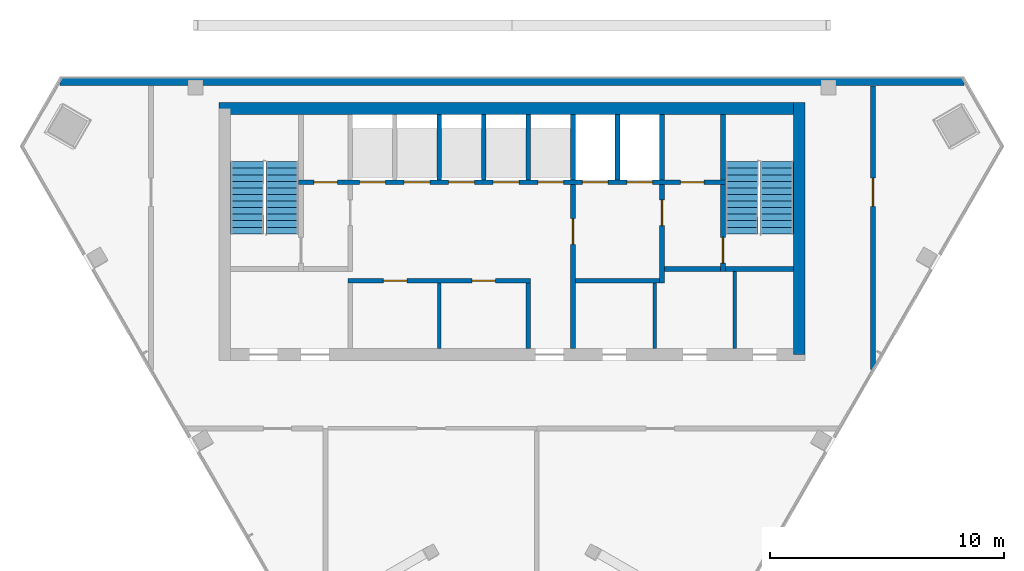
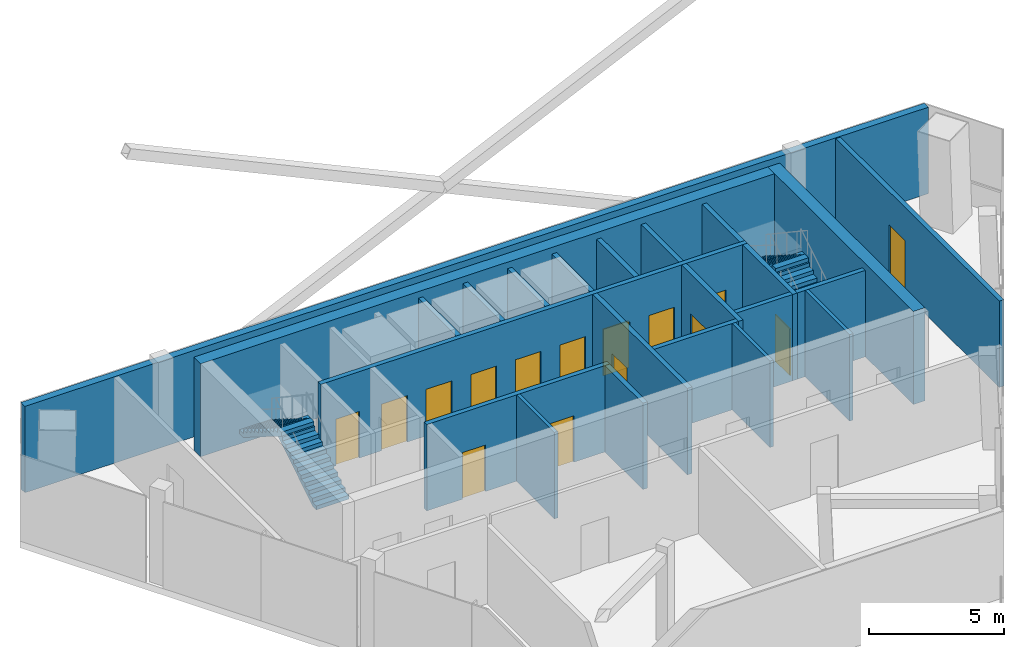
# One storey, part 6 of 8: 23 walls, 15 doors, 4 stair flights, 15 openings, 2 elements without a shape of their own.
"""IFC4 building model written with IfcOpenShell, lengths in metres."""

from ifc_helpers import new_model, si_unit, direction, frame, frame_2d, origin, place, context, subcontext, project, spatial, polyline, rectangle, outline, extrude, material, layer, layer_set, type_object, element, fill, aggregate, save


model = new_model("IFC4")

# Units and contexts
model_context = context("Model", 3, precision=1e-05, world=origin(), true_north=direction((0.0, 1.0)))
body_context = subcontext(model_context, "Body", "Model", "MODEL_VIEW")
ifc_project = project(units=[si_unit("LENGTHUNIT", "METRE"), si_unit("AREAUNIT", "SQUARE_METRE"), si_unit("VOLUMEUNIT", "CUBIC_METRE"), si_unit("PLANEANGLEUNIT", "RADIAN"), si_unit("MASSUNIT", "GRAM", prefix="KILO")], contexts=[model_context])

# Site, building, storey
site_placement = place(None, origin())
site = spatial("IfcSite", under=ifc_project, at=site_placement, CompositionType="ELEMENT")
building_placement = place(site_placement, origin())
building = spatial("IfcBuilding", under=site, at=building_placement, Name="Altiplano Prism Tower", CompositionType="ELEMENT")
storey_placement = place(building_placement, frame((0.0, 0.0, 334.60009765625)))
storey = spatial("IfcBuildingStorey", under=building, at=storey_placement, Name="L87", CompositionType="ELEMENT", Elevation=334.60009765625)

# Walls
ifc_material_1 = material(Name="Concrete C60/75", Category="concrete")
ifc_layer_1 = layer(ifc_material_1, 0.5)
ifc_layer_set_1 = layer_set([ifc_layer_1], Name="Concrete C60/75")
wall_type_1 = type_object("IfcWallType", Name="Core wall 500", PredefinedType="SHEAR", material=ifc_layer_set_1)
wall_1_placement = place(storey_placement, frame((97.25, 93.14990234375, 0.0), z_axis=(0.0, 0.0, 1.0), x_axis=(0.0, 1.0, 0.0)))
element("IfcWall", 1, at=wall_1_placement, inside=storey, type_object=wall_type_1, Name="Core wall E L87", PredefinedType="SHEAR", context=body_context, shape_type="SweptSolid", body=[
    extrude(rectangle(XDim=10.75, YDim=0.5, at=frame_2d((5.375, 0.0))), origin(), (0.0, 0.0, 1.0), 4.199951171875),
])
wall_2_placement = place(storey_placement, frame((97.25, 103.64990234375, 0.0), z_axis=(0.0, 0.0, 1.0), x_axis=(-1.0, 0.0, 0.0)))
element("IfcWall", 2, at=wall_2_placement, inside=storey, type_object=wall_type_1, Name="Core wall N L87", PredefinedType="SHEAR", context=body_context, shape_type="SweptSolid", body=[
    extrude(rectangle(XDim=24.75, YDim=0.5, at=frame_2d((12.375, 0.0))), origin(), (0.0, 0.0, 1.0), 4.199951171875),
])

# Wall, opening, door
ifc_material_2 = material(Name="Plasterboard on steel stud", Category="steel")
ifc_layer_2 = layer(ifc_material_2, 0.199951171875)
ifc_layer_set_2 = layer_set([ifc_layer_2], Name="Plasterboard on steel stud")
wall_type_2 = type_object("IfcWallType", Name="Partition 200 plant", PredefinedType="PARTITIONING", material=ifc_layer_set_2)
wall_3_placement = place(storey_placement, frame((100.40087890625, 92.51123046875, 0.0), z_axis=(0.0, 0.0, 1.0), x_axis=(-8.0781969e-05, 0.999999996737, 0.0)))
wall_3 = element("IfcWall", 3, at=wall_3_placement, inside=storey, type_object=wall_type_2, Name="Partition P04 L87 004", PredefinedType="PARTITIONING", context=body_context, shape_type="SweptSolid", body=[
    extrude(rectangle(XDim=12.0888671875, YDim=0.199951171875, at=frame_2d((6.04443359375, 0.0))), origin(), (0.0, 0.0, 1.0), 3.89990234375),
])
opening_1_placement = place(wall_3_placement, frame((6.966064453125, 0.0, 0.0)))
opening_1 = element("IfcOpeningElement", 4, at=opening_1_placement, cuts=wall_3, Name="Opening D2508", PredefinedType="OPENING", context=body_context, shape_type="SweptSolid", body=[
    extrude(rectangle(XDim=1.199951171875, YDim=2.39990234375, at=frame_2d((0.60009765625, 1.199951171875))), frame((0.0, 0.1103515625, 0.0), z_axis=(0.0, -1.0, 0.0), x_axis=(1.0, 0.0, 0.0)), (0.0, 0.0, 1.0), 0.220947265625),
])
ifc_material_3 = material(Name="Painted steel door leaf", Category="steel")
door_type_1 = type_object("IfcDoorType", Name="Plant room door 1200 x 2400", OperationType="NOTDEFINED", PredefinedType="NOTDEFINED", material=ifc_material_3)
door_1_placement = place(opening_1_placement, origin())
door_1 = element("IfcDoor", 5, at=door_1_placement, inside=storey, type_object=door_type_1, Name="Door D2508", OperationType="SINGLE_SWING_LEFT", OverallHeight=2.39990234375, OverallWidth=1.199951171875, PredefinedType="NOTDEFINED", context=body_context, shape_type="SweptSolid", body=[
    extrude(rectangle(XDim=1.199951171875, YDim=2.39990234375, at=frame_2d((0.60009765625, 1.199951171875))), frame((0.0, 0.02490234375, 0.0), z_axis=(0.0, -1.0, 0.0), x_axis=(1.0, 0.0, 0.0)), (0.0, 0.0, 1.0), 0.050048828125),
])
fill(opening_1, door_1)

# Walls
ifc_material_4 = material(Name="Fire-rated gypsum board partition")
ifc_layer_3 = layer(ifc_material_4, 0.14990234375)
ifc_layer_set_3 = layer_set([ifc_layer_3], Name="Fire-rated gypsum board partition")
wall_type_3 = type_object("IfcWallType", Name="Room partition 150", PredefinedType="PARTITIONING", material=ifc_layer_set_3)
for number, where, z_axis, x_axis, name in (
    (6, (81.89990234375, 93.39990234375, 0.0), (0.0, 0.0, 1.0), (0.0, 1.0, 0.0), "Room partition L87"),
    (7, (91.10009765625, 93.39990234375, 0.0), (0.0, 0.0, 1.0), (0.0, 1.0, 0.0), "Room partition L87"),
):
    element("IfcWall", number, at=place(storey_placement, frame(where, z_axis=z_axis, x_axis=x_axis)), inside=storey, type_object=wall_type_3, Name=name, PredefinedType="PARTITIONING", context=body_context, shape_type="SweptSolid", body=[
        extrude(rectangle(XDim=2.800048828125, YDim=0.14990234375, at=frame_2d((1.39990234375, 0.0))), origin(), (0.0, 0.0, 1.0), 3.89990234375),
    ])
wall_4_placement = place(storey_placement, frame((94.5, 93.39990234375, 0.0), z_axis=(0.0, 0.0, 1.0), x_axis=(0.0, 1.0, 0.0)))
element("IfcWall", 8, at=wall_4_placement, inside=storey, type_object=wall_type_3, Name="Room partition L87", PredefinedType="PARTITIONING", context=body_context, shape_type="SweptSolid", body=[
    extrude(rectangle(XDim=3.300048828125, YDim=0.14990234375, at=frame_2d((1.64990234375, 0.0))), origin(), (0.0, 0.0, 1.0), 3.89990234375),
])
ifc_layer_4 = layer(ifc_material_1, 0.199951171875)
ifc_layer_set_4 = layer_set([ifc_layer_4], Name="Concrete C60/75")
wall_type_4 = type_object("IfcWallType", Name="Shaft wall 200", PredefinedType="SOLIDWALL", material=ifc_layer_set_4)
for number, where, z_axis, x_axis, name in (
    (9, (81.89990234375, 100.60009765625, 0.0), (0.0, 0.0, 1.0), (0.0, 1.0, 0.0), "Shaft wall L87"),
    (10, (83.800048828125, 100.60009765625, 0.0), (0.0, 0.0, 1.0), (0.0, 1.0, 0.0), "Shaft wall L87"),
    (11, (85.699951171875, 100.60009765625, 0.0), (0.0, 0.0, 1.0), (0.0, 1.0, 0.0), "Shaft wall L87"),
    (12, (87.60009765625, 100.60009765625, 0.0), (0.0, 0.0, 1.0), (0.0, 1.0, 0.0), "Shaft wall L87"),
    (13, (89.5, 100.60009765625, 0.0), (0.0, 0.0, 1.0), (0.0, 1.0, 0.0), "Shaft wall L87"),
    (14, (91.39990234375, 100.60009765625, 0.0), (0.0, 0.0, 1.0), (0.0, 1.0, 0.0), "Shaft wall L87"),
):
    element("IfcWall", number, at=place(storey_placement, frame(where, z_axis=z_axis, x_axis=x_axis)), inside=storey, type_object=wall_type_4, Name=name, PredefinedType="SOLIDWALL", context=body_context, shape_type="SweptSolid", body=[
        extrude(rectangle(XDim=2.7998046875, YDim=0.199951171875, at=frame_2d((1.39990234375, 0.0))), origin(), (0.0, 0.0, 1.0), 3.89990234375),
    ])

# Wall, opening, door
ifc_layer_5 = layer(ifc_material_1, 0.199951171875)
ifc_layer_set_5 = layer_set([ifc_layer_5], Name="Concrete C60/75")
wall_type_5 = type_object("IfcWallType", Name="Stair wall 200", PredefinedType="SOLIDWALL", material=ifc_layer_set_5)
wall_5_placement = place(storey_placement, frame((94.0, 96.699951171875, 0.0), z_axis=(0.0, 0.0, 1.0), x_axis=(0.0, 1.0, 0.0)))
wall_5 = element("IfcWall", 15, at=wall_5_placement, inside=storey, type_object=wall_type_5, Name="Stair wall L87", PredefinedType="SOLIDWALL", context=body_context, shape_type="SweptSolid", body=[
    extrude(rectangle(XDim=3.699951171875, YDim=0.199951171875, at=frame_2d((1.85009765625, 0.0))), origin(), (0.0, 0.0, 1.0), 3.89990234375),
])
opening_2_placement = place(wall_5_placement, frame((0.35009765625, 0.0, 0.0)))
opening_2 = element("IfcOpeningElement", 16, at=opening_2_placement, cuts=wall_5, Name="Opening D3817", PredefinedType="OPENING", context=body_context, shape_type="SweptSolid", body=[
    extrude(rectangle(XDim=1.10009765625, YDim=2.10009765625, at=frame_2d((0.550048828125, 1.050048828125))), frame((0.0, 0.1103515625, 0.0), z_axis=(0.0, -1.0, 0.0), x_axis=(1.0, 0.0, 0.0)), (0.0, 0.0, 1.0), 0.220947265625),
])
ifc_material_5 = material(Name="Fire-rated steel door", Category="steel")
door_type_2 = type_object("IfcDoorType", Name="Stair fire door 1100 x 2100", OperationType="NOTDEFINED", PredefinedType="NOTDEFINED", material=ifc_material_5)
door_2_placement = place(opening_2_placement, origin())
door_2 = element("IfcDoor", 17, at=door_2_placement, inside=storey, type_object=door_type_2, Name="Stair fire door D3817", OperationType="SINGLE_SWING_LEFT", OverallHeight=2.10009765625, OverallWidth=1.10009765625, PredefinedType="NOTDEFINED", context=body_context, shape_type="SweptSolid", body=[
    extrude(rectangle(XDim=1.10009765625, YDim=2.10009765625, at=frame_2d((0.550048828125, 1.050048828125))), frame((0.0, 0.02490234375, 0.0), z_axis=(0.0, -1.0, 0.0), x_axis=(1.0, 0.0, 0.0)), (0.0, 0.0, 1.0), 0.050048828125),
])
fill(opening_2, door_2)

# Wall
wall_6_placement = place(storey_placement, frame((94.10009765625, 96.800048828125, 0.0), z_axis=(0.0, 0.0, 1.0), x_axis=(1.0, 0.0, 0.0)))
element("IfcWall", 18, at=wall_6_placement, inside=storey, type_object=wall_type_5, Name="Stair wall L87", PredefinedType="SOLIDWALL", context=body_context, shape_type="SweptSolid", body=[
    extrude(rectangle(XDim=2.89990234375, YDim=0.199951171875, at=frame_2d((1.449951171875, 0.0))), origin(), (0.0, 0.0, 1.0), 3.89990234375),
])

# Wall, openings, doors
wall_7_placement = place(storey_placement, frame((75.89990234375, 100.5, 0.0), z_axis=(0.0, 0.0, 1.0), x_axis=(1.0, 0.0, 0.0)))
wall_7 = element("IfcWall", 19, at=wall_7_placement, inside=storey, type_object=wall_type_5, Name="Stair wall L87", PredefinedType="SOLIDWALL", context=body_context, shape_type="SweptSolid", body=[
    extrude(rectangle(XDim=18.2001953125, YDim=0.199951171875, at=frame_2d((9.10009765625, 0.0))), origin(), (0.0, 0.0, 1.0), 3.89990234375),
])
opening_3_placement = place(wall_7_placement, frame((2.60009765625, 0.0, 0.0)))
opening_3 = element("IfcOpeningElement", 20, at=opening_3_placement, cuts=wall_7, Name="Opening LD-HL1-L87", PredefinedType="OPENING", context=body_context, shape_type="SweptSolid", body=[
    extrude(rectangle(XDim=1.10009765625, YDim=2.10009765625, at=frame_2d((0.550048828125, 1.050048828125))), frame((0.0, 0.1103515625, 0.0), z_axis=(0.0, -1.0, 0.0), x_axis=(1.0, 0.0, 0.0)), (0.0, 0.0, 1.0), 0.220947265625),
])
opening_4_placement = place(wall_7_placement, frame((4.5, 0.0, 0.0)))
opening_4 = element("IfcOpeningElement", 21, at=opening_4_placement, cuts=wall_7, Name="Opening LD-HL2-L87", PredefinedType="OPENING", context=body_context, shape_type="SweptSolid", body=[
    extrude(rectangle(XDim=1.10009765625, YDim=2.10009765625, at=frame_2d((0.550048828125, 1.050048828125))), frame((0.0, 0.1103515625, 0.0), z_axis=(0.0, -1.0, 0.0), x_axis=(1.0, 0.0, 0.0)), (0.0, 0.0, 1.0), 0.220947265625),
])
opening_5_placement = place(wall_7_placement, frame((6.39990234375, 0.0, 0.0)))
opening_5 = element("IfcOpeningElement", 22, at=opening_5_placement, cuts=wall_7, Name="Opening LD-HL3-L87", PredefinedType="OPENING", context=body_context, shape_type="SweptSolid", body=[
    extrude(rectangle(XDim=1.10009765625, YDim=2.10009765625, at=frame_2d((0.550048828125, 1.050048828125))), frame((0.0, 0.1103515625, 0.0), z_axis=(0.0, -1.0, 0.0), x_axis=(1.0, 0.0, 0.0)), (0.0, 0.0, 1.0), 0.220947265625),
])
opening_6_placement = place(wall_7_placement, frame((8.300048828125, 0.0, 0.0)))
opening_6 = element("IfcOpeningElement", 23, at=opening_6_placement, cuts=wall_7, Name="Opening LD-HL4-L87", PredefinedType="OPENING", context=body_context, shape_type="SweptSolid", body=[
    extrude(rectangle(XDim=1.10009765625, YDim=2.10009765625, at=frame_2d((0.550048828125, 1.050048828125))), frame((0.0, 0.1103515625, 0.0), z_axis=(0.0, -1.0, 0.0), x_axis=(1.0, 0.0, 0.0)), (0.0, 0.0, 1.0), 0.220947265625),
])
opening_7_placement = place(wall_7_placement, frame((10.199951171875, 0.0, 0.0)))
opening_7 = element("IfcOpeningElement", 24, at=opening_7_placement, cuts=wall_7, Name="Opening LD-HL5-L87", PredefinedType="OPENING", context=body_context, shape_type="SweptSolid", body=[
    extrude(rectangle(XDim=1.10009765625, YDim=2.10009765625, at=frame_2d((0.550048828125, 1.050048828125))), frame((0.0, 0.1103515625, 0.0), z_axis=(0.0, -1.0, 0.0), x_axis=(1.0, 0.0, 0.0)), (0.0, 0.0, 1.0), 0.220947265625),
])
opening_8_placement = place(wall_7_placement, frame((12.10009765625, 0.0, 0.0)))
opening_8 = element("IfcOpeningElement", 25, at=opening_8_placement, cuts=wall_7, Name="Opening LD-FF1-L87", PredefinedType="OPENING", context=body_context, shape_type="SweptSolid", body=[
    extrude(rectangle(XDim=1.10009765625, YDim=2.10009765625, at=frame_2d((0.550048828125, 1.050048828125))), frame((0.0, 0.1103515625, 0.0), z_axis=(0.0, -1.0, 0.0), x_axis=(1.0, 0.0, 0.0)), (0.0, 0.0, 1.0), 0.220947265625),
])
opening_9_placement = place(wall_7_placement, frame((14.0, 0.0, 0.0)))
opening_9 = element("IfcOpeningElement", 26, at=opening_9_placement, cuts=wall_7, Name="Opening LD-FF2-L87", PredefinedType="OPENING", context=body_context, shape_type="SweptSolid", body=[
    extrude(rectangle(XDim=1.10009765625, YDim=2.10009765625, at=frame_2d((0.550048828125, 1.050048828125))), frame((0.0, 0.1103515625, 0.0), z_axis=(0.0, -1.0, 0.0), x_axis=(1.0, 0.0, 0.0)), (0.0, 0.0, 1.0), 0.220947265625),
])
opening_10_placement = place(wall_7_placement, frame((0.64990234375, 0.0, 0.0)))
opening_10 = element("IfcOpeningElement", 27, at=opening_10_placement, cuts=wall_7, Name="Opening D3824", PredefinedType="OPENING", context=body_context, shape_type="SweptSolid", body=[
    extrude(rectangle(XDim=1.0, YDim=2.10009765625, at=frame_2d((0.5, 1.050048828125))), frame((0.0, 0.1103515625, 0.0), z_axis=(0.0, -1.0, 0.0), x_axis=(1.0, 0.0, 0.0)), (0.0, 0.0, 1.0), 0.220947265625),
])
opening_11_placement = place(wall_7_placement, frame((16.300048828125, 0.0, 0.0)))
opening_11 = element("IfcOpeningElement", 28, at=opening_11_placement, cuts=wall_7, Name="Opening D3825", PredefinedType="OPENING", context=body_context, shape_type="SweptSolid", body=[
    extrude(rectangle(XDim=1.0, YDim=2.10009765625, at=frame_2d((0.5, 1.050048828125))), frame((0.0, 0.1103515625, 0.0), z_axis=(0.0, -1.0, 0.0), x_axis=(1.0, 0.0, 0.0)), (0.0, 0.0, 1.0), 0.220947265625),
])
door_type_3 = type_object("IfcDoorType", Name="Core room door 1000 x 2100", OperationType="NOTDEFINED", PredefinedType="NOTDEFINED", material=ifc_material_5)
door_3_placement = place(opening_10_placement, origin())
door_3 = element("IfcDoor", 29, at=door_3_placement, inside=storey, type_object=door_type_3, Name="Core room door D3824", OperationType="SINGLE_SWING_LEFT", OverallHeight=2.10009765625, OverallWidth=1.0, PredefinedType="NOTDEFINED", context=body_context, shape_type="SweptSolid", body=[
    extrude(rectangle(XDim=1.0, YDim=2.10009765625, at=frame_2d((0.5, 1.050048828125))), frame((0.0, 0.02490234375, 0.0), z_axis=(0.0, -1.0, 0.0), x_axis=(1.0, 0.0, 0.0)), (0.0, 0.0, 1.0), 0.050048828125),
])
fill(opening_10, door_3)
door_4_placement = place(opening_11_placement, origin())
door_4 = element("IfcDoor", 30, at=door_4_placement, inside=storey, type_object=door_type_3, Name="Core room door D3825", OperationType="SINGLE_SWING_RIGHT", OverallHeight=2.10009765625, OverallWidth=1.0, PredefinedType="NOTDEFINED", context=body_context, shape_type="SweptSolid", body=[
    extrude(rectangle(XDim=1.0, YDim=2.10009765625, at=frame_2d((0.5, 1.050048828125))), frame((0.0, 0.02490234375, 0.0), z_axis=(0.0, -1.0, 0.0), x_axis=(1.0, 0.0, 0.0)), (0.0, 0.0, 1.0), 0.050048828125),
])
fill(opening_11, door_4)
ifc_material_6 = material(Name="Stainless steel landing door", Category="steel")
door_type_4 = type_object("IfcDoorType", Name="Landing door 1100 x 2100", OperationType="NOTDEFINED", PredefinedType="NOTDEFINED", material=ifc_material_6)
door_5_placement = place(opening_3_placement, origin())
door_5 = element("IfcDoor", 31, at=door_5_placement, inside=storey, type_object=door_type_4, Name="Landing doors HL1", OperationType="SLIDING_TO_RIGHT", OverallHeight=2.10009765625, OverallWidth=1.10009765625, PredefinedType="NOTDEFINED", context=body_context, shape_type="SweptSolid", body=[
    extrude(rectangle(XDim=1.10009765625, YDim=2.10009765625, at=frame_2d((0.550048828125, 1.050048828125))), frame((0.0, 0.02490234375, 0.0), z_axis=(0.0, -1.0, 0.0), x_axis=(1.0, 0.0, 0.0)), (0.0, 0.0, 1.0), 0.050048828125),
])
fill(opening_3, door_5)
door_6_placement = place(opening_4_placement, origin())
door_6 = element("IfcDoor", 32, at=door_6_placement, inside=storey, type_object=door_type_4, Name="Landing doors HL2", OperationType="SLIDING_TO_LEFT", OverallHeight=2.10009765625, OverallWidth=1.10009765625, PredefinedType="NOTDEFINED", context=body_context, shape_type="SweptSolid", body=[
    extrude(rectangle(XDim=1.10009765625, YDim=2.10009765625, at=frame_2d((0.550048828125, 1.050048828125))), frame((0.0, 0.02490234375, 0.0), z_axis=(0.0, -1.0, 0.0), x_axis=(1.0, 0.0, 0.0)), (0.0, 0.0, 1.0), 0.050048828125),
])
fill(opening_4, door_6)
door_7_placement = place(opening_5_placement, origin())
door_7 = element("IfcDoor", 33, at=door_7_placement, inside=storey, type_object=door_type_4, Name="Landing doors HL3", OperationType="SLIDING_TO_RIGHT", OverallHeight=2.10009765625, OverallWidth=1.10009765625, PredefinedType="NOTDEFINED", context=body_context, shape_type="SweptSolid", body=[
    extrude(rectangle(XDim=1.10009765625, YDim=2.10009765625, at=frame_2d((0.550048828125, 1.050048828125))), frame((0.0, 0.02490234375, 0.0), z_axis=(0.0, -1.0, 0.0), x_axis=(1.0, 0.0, 0.0)), (0.0, 0.0, 1.0), 0.050048828125),
])
fill(opening_5, door_7)
door_8_placement = place(opening_6_placement, origin())
door_8 = element("IfcDoor", 34, at=door_8_placement, inside=storey, type_object=door_type_4, Name="Landing doors HL4", OperationType="SLIDING_TO_LEFT", OverallHeight=2.10009765625, OverallWidth=1.10009765625, PredefinedType="NOTDEFINED", context=body_context, shape_type="SweptSolid", body=[
    extrude(rectangle(XDim=1.10009765625, YDim=2.10009765625, at=frame_2d((0.550048828125, 1.050048828125))), frame((0.0, 0.02490234375, 0.0), z_axis=(0.0, -1.0, 0.0), x_axis=(1.0, 0.0, 0.0)), (0.0, 0.0, 1.0), 0.050048828125),
])
fill(opening_6, door_8)
door_9_placement = place(opening_7_placement, origin())
door_9 = element("IfcDoor", 35, at=door_9_placement, inside=storey, type_object=door_type_4, Name="Landing doors HL5", OperationType="SLIDING_TO_RIGHT", OverallHeight=2.10009765625, OverallWidth=1.10009765625, PredefinedType="NOTDEFINED", context=body_context, shape_type="SweptSolid", body=[
    extrude(rectangle(XDim=1.10009765625, YDim=2.10009765625, at=frame_2d((0.550048828125, 1.050048828125))), frame((0.0, 0.02490234375, 0.0), z_axis=(0.0, -1.0, 0.0), x_axis=(1.0, 0.0, 0.0)), (0.0, 0.0, 1.0), 0.050048828125),
])
fill(opening_7, door_9)
door_10_placement = place(opening_8_placement, origin())
door_10 = element("IfcDoor", 36, at=door_10_placement, inside=storey, type_object=door_type_4, Name="Landing doors FF1", OperationType="SLIDING_TO_RIGHT", OverallHeight=2.10009765625, OverallWidth=1.10009765625, PredefinedType="NOTDEFINED", context=body_context, shape_type="SweptSolid", body=[
    extrude(rectangle(XDim=1.10009765625, YDim=2.10009765625, at=frame_2d((0.550048828125, 1.050048828125))), frame((0.0, 0.02490234375, 0.0), z_axis=(0.0, -1.0, 0.0), x_axis=(1.0, 0.0, 0.0)), (0.0, 0.0, 1.0), 0.050048828125),
])
fill(opening_8, door_10)
door_11_placement = place(opening_9_placement, origin())
door_11 = element("IfcDoor", 37, at=door_11_placement, inside=storey, type_object=door_type_4, Name="Landing doors FF2", OperationType="SLIDING_TO_LEFT", OverallHeight=2.10009765625, OverallWidth=1.10009765625, PredefinedType="NOTDEFINED", context=body_context, shape_type="SweptSolid", body=[
    extrude(rectangle(XDim=1.10009765625, YDim=2.10009765625, at=frame_2d((0.550048828125, 1.050048828125))), frame((0.0, 0.02490234375, 0.0), z_axis=(0.0, -1.0, 0.0), x_axis=(1.0, 0.0, 0.0)), (0.0, 0.0, 1.0), 0.050048828125),
])
fill(opening_9, door_11)

# Walls
wall_8_placement = place(storey_placement, frame((94.0, 100.60009765625, 0.0), z_axis=(0.0, 0.0, 1.0), x_axis=(0.0, 1.0, 0.0)))
element("IfcWall", 38, at=wall_8_placement, inside=storey, type_object=wall_type_5, Name="Stair wall L87", PredefinedType="SOLIDWALL", context=body_context, shape_type="SweptSolid", body=[
    extrude(rectangle(XDim=2.7998046875, YDim=0.199951171875, at=frame_2d((1.39990234375, 0.0))), origin(), (0.0, 0.0, 1.0), 3.89990234375),
])
ifc_material_7 = material(Name="Concrete C40", Category="concrete")
ifc_layer_6 = layer(ifc_material_7, 0.300048828125)
ifc_layer_set_6 = layer_set([ifc_layer_6], Name="Concrete C40")
wall_type_6 = type_object("IfcWallType", Name="Stone-clad external wall 300", PredefinedType="SOLIDWALL", material=ifc_layer_set_6)
wall_9_placement = place(storey_placement, frame((65.7197265625, 104.7900390625, 0.0), z_axis=(0.0, 0.0, 1.0), x_axis=(1.0, 0.0, 0.0)))
element("IfcWall", 39, at=wall_9_placement, inside=storey, type_object=wall_type_6, Name="External wall north face L87", PredefinedType="SOLIDWALL", context=body_context, shape_type="SweptSolid", body=[
    extrude(rectangle(XDim=38.560546875, YDim=0.300048828125, at=frame_2d((19.2802734375, 0.0))), origin(), (0.0, 0.0, 1.0), 3.89990234375),
])
ifc_layer_7 = layer(ifc_material_1, 0.199951171875)
ifc_layer_set_7 = layer_set([ifc_layer_7], Name="Concrete C60/75")
wall_type_7 = type_object("IfcWallType", Name="Vestibule wall 200", PredefinedType="PARTITIONING", material=ifc_layer_set_7)
wall_10_placement = place(storey_placement, frame((85.699951171875, 93.39990234375, 0.0), z_axis=(0.0, 0.0, 1.0), x_axis=(0.0, 1.0, 0.0)))
element("IfcWall", 40, at=wall_10_placement, inside=storey, type_object=wall_type_7, Name="Vestibule wall L87", PredefinedType="PARTITIONING", context=body_context, shape_type="SweptSolid", body=[
    extrude(rectangle(XDim=2.800048828125, YDim=0.199951171875, at=frame_2d((1.39990234375, 0.0))), origin(), (0.0, 0.0, 1.0), 3.89990234375),
])

# Wall, opening, door
wall_11_placement = place(storey_placement, frame((87.60009765625, 93.39990234375, 0.0), z_axis=(0.0, 0.0, 1.0), x_axis=(0.0, 1.0, 0.0)))
wall_11 = element("IfcWall", 41, at=wall_11_placement, inside=storey, type_object=wall_type_7, Name="Vestibule wall L87", PredefinedType="PARTITIONING", context=body_context, shape_type="SweptSolid", body=[
    extrude(rectangle(XDim=7.0, YDim=0.199951171875, at=frame_2d((3.5, 0.0))), origin(), (0.0, 0.0, 1.0), 3.89990234375),
])
opening_12_placement = place(wall_11_placement, frame((4.449951171875, 0.0, 0.0)))
opening_12 = element("IfcOpeningElement", 42, at=opening_12_placement, cuts=wall_11, Name="Opening D3819", PredefinedType="OPENING", context=body_context, shape_type="SweptSolid", body=[
    extrude(rectangle(XDim=1.10009765625, YDim=2.10009765625, at=frame_2d((0.550048828125, 1.050048828125))), frame((0.0, 0.1103515625, 0.0), z_axis=(0.0, -1.0, 0.0), x_axis=(1.0, 0.0, 0.0)), (0.0, 0.0, 1.0), 0.220947265625),
])
door_type_5 = type_object("IfcDoorType", Name="Vestibule fire door 1100 x 2100", OperationType="NOTDEFINED", PredefinedType="NOTDEFINED", material=ifc_material_5)
door_12_placement = place(opening_12_placement, origin())
door_12 = element("IfcDoor", 43, at=door_12_placement, inside=storey, type_object=door_type_5, Name="Vestibule fire door D3819", OperationType="SINGLE_SWING_RIGHT", OverallHeight=2.10009765625, OverallWidth=1.10009765625, PredefinedType="NOTDEFINED", context=body_context, shape_type="SweptSolid", body=[
    extrude(rectangle(XDim=1.10009765625, YDim=2.10009765625, at=frame_2d((0.550048828125, 1.050048828125))), frame((0.0, 0.02490234375, 0.0), z_axis=(0.0, -1.0, 0.0), x_axis=(1.0, 0.0, 0.0)), (0.0, 0.0, 1.0), 0.050048828125),
])
fill(opening_12, door_12)

# Wall, openings, doors
wall_12_placement = place(storey_placement, frame((78.0, 96.300048828125, 0.0), z_axis=(0.0, 0.0, 1.0), x_axis=(1.0, 0.0, 0.0)))
wall_12 = element("IfcWall", 44, at=wall_12_placement, inside=storey, type_object=wall_type_7, Name="Vestibule wall L87", PredefinedType="PARTITIONING", context=body_context, shape_type="SweptSolid", body=[
    extrude(rectangle(XDim=7.800048828125, YDim=0.199951171875, at=frame_2d((3.89990234375, 0.0))), origin(), (0.0, 0.0, 1.0), 3.89990234375),
])
opening_13_placement = place(wall_12_placement, frame((1.512451171875, 0.0, 0.0)))
opening_13 = element("IfcOpeningElement", 45, at=opening_13_placement, cuts=wall_12, Name="Opening D3829", PredefinedType="OPENING", context=body_context, shape_type="SweptSolid", body=[
    extrude(rectangle(XDim=1.0, YDim=2.10009765625, at=frame_2d((0.5, 1.050048828125))), frame((0.0, 0.1103515625, 0.0), z_axis=(0.0, -1.0, 0.0), x_axis=(1.0, 0.0, 0.0)), (0.0, 0.0, 1.0), 0.220947265625),
])
opening_14_placement = place(wall_12_placement, frame((5.28759765625, 0.0, 0.0)))
opening_14 = element("IfcOpeningElement", 46, at=opening_14_placement, cuts=wall_12, Name="Opening D3830", PredefinedType="OPENING", context=body_context, shape_type="SweptSolid", body=[
    extrude(rectangle(XDim=1.0, YDim=2.10009765625, at=frame_2d((0.5, 1.050048828125))), frame((0.0, 0.1103515625, 0.0), z_axis=(0.0, -1.0, 0.0), x_axis=(1.0, 0.0, 0.0)), (0.0, 0.0, 1.0), 0.220947265625),
])
door_13_placement = place(opening_13_placement, origin())
door_13 = element("IfcDoor", 47, at=door_13_placement, inside=storey, type_object=door_type_3, Name="Core room door D3829", OperationType="SINGLE_SWING_RIGHT", OverallHeight=2.10009765625, OverallWidth=1.0, PredefinedType="NOTDEFINED", context=body_context, shape_type="SweptSolid", body=[
    extrude(rectangle(XDim=1.0, YDim=2.10009765625, at=frame_2d((0.5, 1.050048828125))), frame((0.0, 0.02490234375, 0.0), z_axis=(0.0, -1.0, 0.0), x_axis=(1.0, 0.0, 0.0)), (0.0, 0.0, 1.0), 0.050048828125),
])
fill(opening_13, door_13)
door_14_placement = place(opening_14_placement, origin())
door_14 = element("IfcDoor", 48, at=door_14_placement, inside=storey, type_object=door_type_3, Name="Core room door D3830", OperationType="SINGLE_SWING_RIGHT", OverallHeight=2.10009765625, OverallWidth=1.0, PredefinedType="NOTDEFINED", context=body_context, shape_type="SweptSolid", body=[
    extrude(rectangle(XDim=1.0, YDim=2.10009765625, at=frame_2d((0.5, 1.050048828125))), frame((0.0, 0.02490234375, 0.0), z_axis=(0.0, -1.0, 0.0), x_axis=(1.0, 0.0, 0.0)), (0.0, 0.0, 1.0), 0.050048828125),
])
fill(opening_14, door_14)

# Wall
wall_13_placement = place(storey_placement, frame((87.699951171875, 96.300048828125, 0.0), z_axis=(0.0, 0.0, 1.0), x_axis=(1.0, 0.0, 0.0)))
element("IfcWall", 49, at=wall_13_placement, inside=storey, type_object=wall_type_7, Name="Vestibule wall L87", PredefinedType="PARTITIONING", context=body_context, shape_type="SweptSolid", body=[
    extrude(rectangle(XDim=3.60009765625, YDim=0.199951171875, at=frame_2d((1.800048828125, 0.0))), origin(), (0.0, 0.0, 1.0), 3.89990234375),
])

# Wall, opening, door
wall_14_placement = place(storey_placement, frame((91.39990234375, 96.199951171875, 0.0), z_axis=(0.0, 0.0, 1.0), x_axis=(0.0, 1.0, 0.0)))
wall_14 = element("IfcWall", 50, at=wall_14_placement, inside=storey, type_object=wall_type_7, Name="Vestibule wall L87", PredefinedType="PARTITIONING", context=body_context, shape_type="SweptSolid", body=[
    extrude(rectangle(XDim=4.199951171875, YDim=0.199951171875, at=frame_2d((2.10009765625, 0.0))), origin(), (0.0, 0.0, 1.0), 3.89990234375),
])
opening_15_placement = place(wall_14_placement, frame((2.449951171875, 0.0, 0.0)))
opening_15 = element("IfcOpeningElement", 51, at=opening_15_placement, cuts=wall_14, Name="Opening D3820", PredefinedType="OPENING", context=body_context, shape_type="SweptSolid", body=[
    extrude(rectangle(XDim=1.10009765625, YDim=2.10009765625, at=frame_2d((0.550048828125, 1.050048828125))), frame((0.0, 0.1103515625, 0.0), z_axis=(0.0, -1.0, 0.0), x_axis=(1.0, 0.0, 0.0)), (0.0, 0.0, 1.0), 0.220947265625),
])
door_15_placement = place(opening_15_placement, origin())
door_15 = element("IfcDoor", 52, at=door_15_placement, inside=storey, type_object=door_type_5, Name="Vestibule fire door D3820", OperationType="SINGLE_SWING_LEFT", OverallHeight=2.10009765625, OverallWidth=1.10009765625, PredefinedType="NOTDEFINED", context=body_context, shape_type="SweptSolid", body=[
    extrude(rectangle(XDim=1.10009765625, YDim=2.10009765625, at=frame_2d((0.550048828125, 1.050048828125))), frame((0.0, 0.02490234375, 0.0), z_axis=(0.0, -1.0, 0.0), x_axis=(1.0, 0.0, 0.0)), (0.0, 0.0, 1.0), 0.050048828125),
])
fill(opening_15, door_15)

# Wall
wall_15_placement = place(storey_placement, frame((91.5, 96.800048828125, 0.0), z_axis=(0.0, 0.0, 1.0), x_axis=(1.0, 0.0, 0.0)))
element("IfcWall", 53, at=wall_15_placement, inside=storey, type_object=wall_type_7, Name="Vestibule wall L87", PredefinedType="PARTITIONING", context=body_context, shape_type="SweptSolid", body=[
    extrude(rectangle(XDim=2.39990234375, YDim=0.199951171875, at=frame_2d((1.199951171875, 0.0))), origin(), (0.0, 0.0, 1.0), 3.89990234375),
])

# Stair, stair flights
ifc_material_8 = material(Name="Concrete C40/50", Category="concrete")
stair_type = type_object("IfcStairType", Name="Exit stair 1400", PredefinedType="HALF_TURN_STAIR", material=ifc_material_8)
stair_1_placement = place(storey_placement, origin())
stair_1 = element("IfcStair", 54, at=stair_1_placement, inside=storey, type_object=stair_type, Name="L87 Exit Stair 1", PredefinedType="HALF_TURN_STAIR")
stair_flight_type = type_object("IfcStairFlightType", Name="Stair flight concrete 150", PredefinedType="STRAIGHT", material=ifc_material_8)
stair_flight_1_placement = place(storey_placement, frame((75.199951171875, 98.300048828125, 0.0), z_axis=(0.0, 0.0, 1.0), x_axis=(0.0, 1.0, 0.0)))
stair_flight_1 = element("IfcStairFlight", 55, at=stair_flight_1_placement, type_object=stair_flight_type, Name="ST1 flight 1", NumberOfRisers=12, NumberOfTreads=11, PredefinedType="STRAIGHT", RiserHeight=0.175, TreadLength=0.28, context=body_context, shape_type="SweptSolid", body=[
    extrude(outline(polyline([(0.0, 0.0), (0.0, 0.175048828125), (0.280029296875, 0.175048828125), (0.280029296875, 0.35009765625), (0.56005859375, 0.35009765625), (0.56005859375, 0.52490234375), (0.840087890625, 0.52490234375), (0.840087890625, 0.699951171875), (1.1201171875, 0.699951171875), (1.1201171875, 0.875), (1.39990234375, 0.875), (1.39990234375, 1.050048828125), (1.679931640625, 1.050048828125), (1.679931640625, 1.22509765625), (1.9599609375, 1.22509765625), (1.9599609375, 1.39990234375), (2.239990234375, 1.39990234375), (2.239990234375, 1.574951171875), (2.52001953125, 1.574951171875), (2.52001953125, 1.75), (2.800048828125, 1.75), (2.800048828125, 1.925048828125), (3.080078125, 1.925048828125), (3.080078125, 2.10009765625), (3.080078125, 1.748291015625), (0.28271484375, 0.0), (0.0, 0.0)])), frame((0.0, 0.699951171875, 0.0), z_axis=(0.0, -1.0, 0.0), x_axis=(1.0, 0.0, 0.0)), (0.0, 0.0, 1.0), 1.39990234375),
])
stair_flight_2_placement = place(storey_placement, frame((73.699951171875, 101.3798828125, 2.099853515625), z_axis=(0.0, 0.0, 1.0), x_axis=(0.0, -1.0, 0.0)))
stair_flight_2 = element("IfcStairFlight", 56, at=stair_flight_2_placement, type_object=stair_flight_type, Name="ST1 flight 2", NumberOfRisers=12, NumberOfTreads=11, PredefinedType="STRAIGHT", RiserHeight=0.175, TreadLength=0.28, context=body_context, shape_type="SweptSolid", body=[
    extrude(outline(polyline([(0.0, 0.0), (0.0, 0.175048828125), (0.280029296875, 0.175048828125), (0.280029296875, 0.35009765625), (0.56005859375, 0.35009765625), (0.56005859375, 0.52490234375), (0.840087890625, 0.52490234375), (0.840087890625, 0.699951171875), (1.1201171875, 0.699951171875), (1.1201171875, 0.875), (1.39990234375, 0.875), (1.39990234375, 1.050048828125), (1.679931640625, 1.050048828125), (1.679931640625, 1.22509765625), (1.9599609375, 1.22509765625), (1.9599609375, 1.39990234375), (2.239990234375, 1.39990234375), (2.239990234375, 1.574951171875), (2.52001953125, 1.574951171875), (2.52001953125, 1.75), (2.800048828125, 1.75), (2.800048828125, 1.925048828125), (3.080078125, 1.925048828125), (3.080078125, 2.10009765625), (3.080078125, 1.748291015625), (0.28271484375, 0.0), (0.0, 0.0)])), frame((0.0, 0.699951171875, 0.0), z_axis=(0.0, -1.0, 0.0), x_axis=(1.0, 0.0, 0.0)), (0.0, 0.0, 1.0), 1.39990234375),
])
aggregate(stair_1, [stair_flight_1, stair_flight_2])

stair_2_placement = place(storey_placement, origin())
stair_2 = element("IfcStair", 57, at=stair_2_placement, inside=storey, type_object=stair_type, Name="L87 Exit Stair 2", PredefinedType="HALF_TURN_STAIR")
stair_flight_3_placement = place(storey_placement, frame((96.300048828125, 98.300048828125, 0.0), z_axis=(0.0, 0.0, 1.0), x_axis=(0.0, 1.0, 0.0)))
stair_flight_3 = element("IfcStairFlight", 58, at=stair_flight_3_placement, type_object=stair_flight_type, Name="ST2 flight 1", NumberOfRisers=12, NumberOfTreads=11, PredefinedType="STRAIGHT", RiserHeight=0.175, TreadLength=0.28, context=body_context, shape_type="SweptSolid", body=[
    extrude(outline(polyline([(0.0, 0.0), (0.0, 0.175048828125), (0.280029296875, 0.175048828125), (0.280029296875, 0.35009765625), (0.56005859375, 0.35009765625), (0.56005859375, 0.52490234375), (0.840087890625, 0.52490234375), (0.840087890625, 0.699951171875), (1.1201171875, 0.699951171875), (1.1201171875, 0.875), (1.39990234375, 0.875), (1.39990234375, 1.050048828125), (1.679931640625, 1.050048828125), (1.679931640625, 1.22509765625), (1.9599609375, 1.22509765625), (1.9599609375, 1.39990234375), (2.239990234375, 1.39990234375), (2.239990234375, 1.574951171875), (2.52001953125, 1.574951171875), (2.52001953125, 1.75), (2.800048828125, 1.75), (2.800048828125, 1.925048828125), (3.080078125, 1.925048828125), (3.080078125, 2.10009765625), (3.080078125, 1.748291015625), (0.28271484375, 0.0), (0.0, 0.0)])), frame((0.0, 0.699951171875, 0.0), z_axis=(0.0, -1.0, 0.0), x_axis=(1.0, 0.0, 0.0)), (0.0, 0.0, 1.0), 1.39990234375),
])
stair_flight_4_placement = place(storey_placement, frame((94.800048828125, 101.3798828125, 2.099853515625), z_axis=(0.0, 0.0, 1.0), x_axis=(0.0, -1.0, 0.0)))
stair_flight_4 = element("IfcStairFlight", 59, at=stair_flight_4_placement, type_object=stair_flight_type, Name="ST2 flight 2", NumberOfRisers=12, NumberOfTreads=11, PredefinedType="STRAIGHT", RiserHeight=0.175, TreadLength=0.28, context=body_context, shape_type="SweptSolid", body=[
    extrude(outline(polyline([(0.0, 0.0), (0.0, 0.175048828125), (0.280029296875, 0.175048828125), (0.280029296875, 0.35009765625), (0.56005859375, 0.35009765625), (0.56005859375, 0.52490234375), (0.840087890625, 0.52490234375), (0.840087890625, 0.699951171875), (1.1201171875, 0.699951171875), (1.1201171875, 0.875), (1.39990234375, 0.875), (1.39990234375, 1.050048828125), (1.679931640625, 1.050048828125), (1.679931640625, 1.22509765625), (1.9599609375, 1.22509765625), (1.9599609375, 1.39990234375), (2.239990234375, 1.39990234375), (2.239990234375, 1.574951171875), (2.52001953125, 1.574951171875), (2.52001953125, 1.75), (2.800048828125, 1.75), (2.800048828125, 1.925048828125), (3.080078125, 1.925048828125), (3.080078125, 2.10009765625), (3.080078125, 1.748291015625), (0.28271484375, 0.0), (0.0, 0.0)])), frame((0.0, 0.699951171875, 0.0), z_axis=(0.0, -1.0, 0.0), x_axis=(1.0, 0.0, 0.0)), (0.0, 0.0, 1.0), 1.39990234375),
])
aggregate(stair_2, [stair_flight_3, stair_flight_4])

save(model, "model.ifc")
